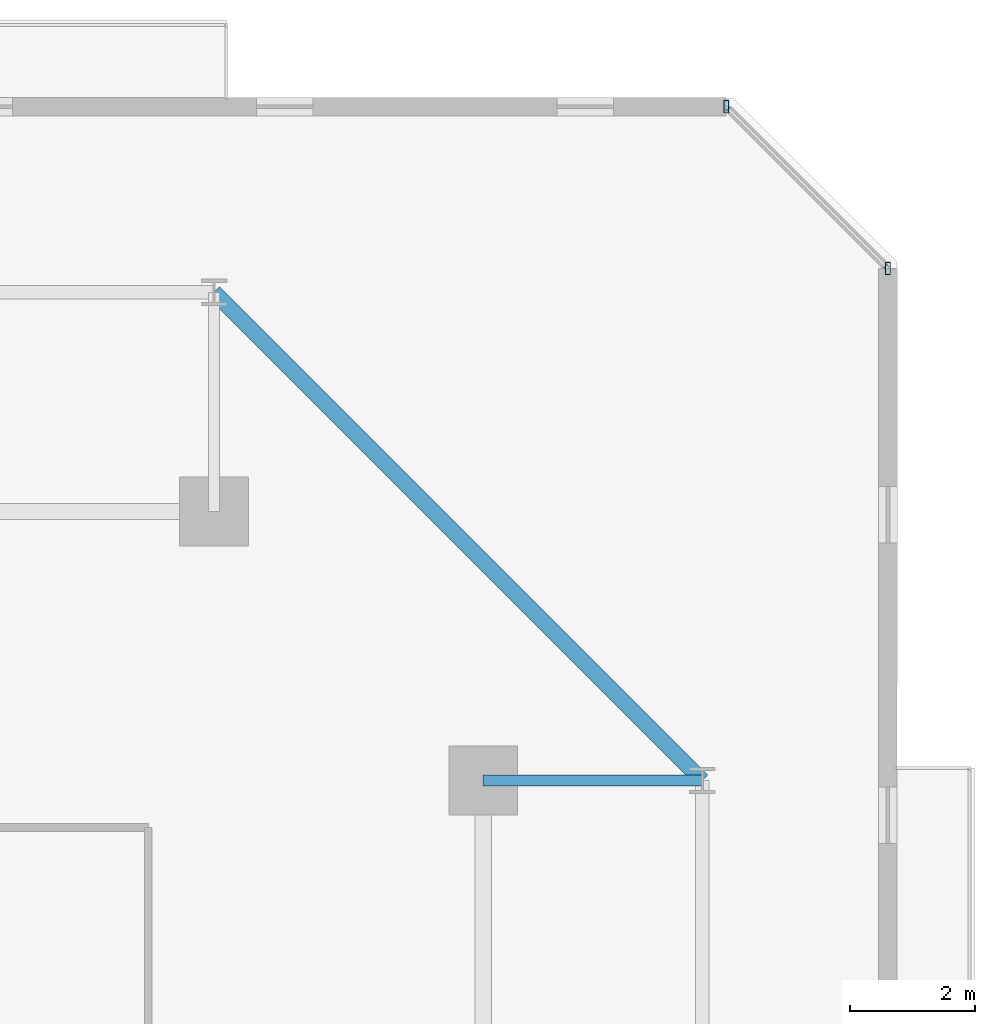
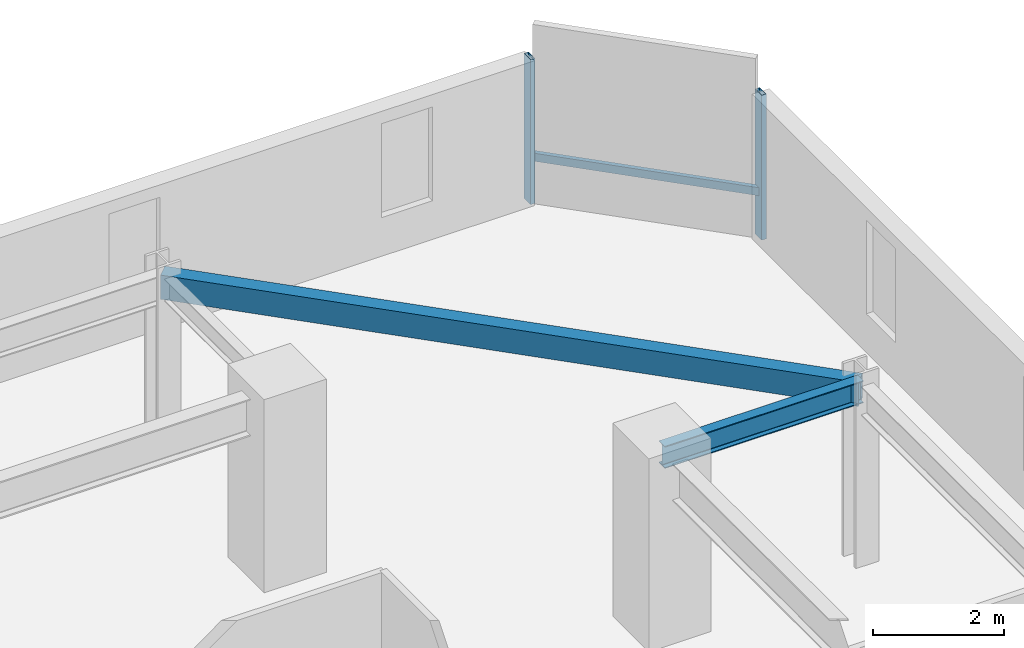
# One storey, part 17 of 32: 3 members, 2 beams, 1 element without a shape of its own.
"""IFC4 building model written with IfcOpenShell, lengths in metres."""

from ifc_helpers import new_model, si_unit, direction, frame, origin, origin_2d, place, context, subcontext, project, spatial, hollow_rectangle, i_section, extrude, material, material_profile, profile_set, type_object, element, aggregate, save


model = new_model("IFC4")

# Units and contexts
model_context = context("Model", 3, precision=1e-05, world=origin(), true_north=direction((0.0, 1.0)))
body_context = subcontext(model_context, "Body", "Model", "MODEL_VIEW")
ifc_project = project(units=[si_unit("LENGTHUNIT", "METRE"), si_unit("AREAUNIT", "SQUARE_METRE"), si_unit("VOLUMEUNIT", "CUBIC_METRE"), si_unit("PLANEANGLEUNIT", "RADIAN"), si_unit("MASSUNIT", "GRAM", prefix="KILO")], contexts=[model_context])

# Site, building, storey
site_placement = place(None, origin())
site = spatial("IfcSite", under=ifc_project, at=site_placement, CompositionType="ELEMENT")
building_placement = place(site_placement, origin())
building = spatial("IfcBuilding", under=site, at=building_placement, Name="Thornwick Lancets Civic Towers", CompositionType="ELEMENT")
storey_placement = place(building_placement, frame((0.0, 0.0, 152.699951171875)))
storey = spatial("IfcBuildingStorey", under=building, at=storey_placement, Name="L40", CompositionType="ELEMENT", Elevation=152.699951171875)

# Beams
ifc_material_1 = material(Name="Steel S355JR", Category="steel")
ifc_material_profile_1 = material_profile(ifc_material_1, i_section(OverallWidth=0.179443359375, OverallDepth=0.412841796875, WebThickness=0.009521484375, FlangeThickness=0.01611328125, FilletRadius=0.01025390625, at=origin_2d()), Name="UKB 406x178x74")
ifc_profile_set_1 = profile_set([ifc_material_profile_1], Name="Steel S355JR")
beam_type_1 = type_object("IfcBeamType", Name="BM_JOIST_406_74", PredefinedType="JOIST", material=ifc_profile_set_1)
beam_1_placement = place(storey_placement, frame((105.800048828125, 40.0, 3.153564453125), z_axis=(1.0, 0.0, 0.0), x_axis=(0.0, 1.0, 0.0)))
element("IfcBeam", 1, at=beam_1_placement, inside=storey, type_object=beam_type_1, Name="BM-RAD-L40-B03", PredefinedType="JOIST", context=body_context, shape_type="SweptSolid", body=[
    extrude(i_section(OverallWidth=0.179443359375, OverallDepth=0.412841796875, WebThickness=0.009521484375, FlangeThickness=0.01611328125, FilletRadius=0.01025390625, at=origin_2d()), origin(), (0.0, 0.0, 1.0), 3.5),
])
ifc_material_profile_2 = material_profile(ifc_material_1, hollow_rectangle(XDim=0.25, YDim=0.449951171875, WallThickness=0.01611328125, at=origin_2d()), Name="RHS 450x250x16")
ifc_profile_set_2 = profile_set([ifc_material_profile_2], Name="Steel S355JR")
beam_type_2 = type_object("IfcBeamType", Name="BM_RING_RHS450", PredefinedType="BEAM", material=ifc_profile_set_2)
beam_2_placement = place(storey_placement, frame((109.300048828125, 40.0, 3.135009765625), z_axis=(-0.707106781187, 0.707106781187, 0.0), x_axis=(-0.707106781187, -0.707106781187, 0.0)))
element("IfcBeam", 2, at=beam_2_placement, inside=storey, type_object=beam_type_2, Name="BM-CHAMF-L40-B-C0", PredefinedType="BEAM", context=body_context, shape_type="SweptSolid", body=[
    extrude(hollow_rectangle(XDim=0.25, YDim=0.449951171875, WallThickness=0.01611328125, at=origin_2d()), origin(), (0.0, 0.0, 1.0), 11.031005859375),
])

# Curtain wall, members
ifc_material_2 = material(Name="Mid-zone chamfered-corner unitised glass curtain wall", Category="glass")
curtain_wall_type = type_object("IfcCurtainWallType", Name="CW_SYS_04", PredefinedType="NOTDEFINED", material=ifc_material_2)
curtain_wall_placement = place(storey_placement, origin())
curtain_wall = element("IfcCurtainWall", 3, at=curtain_wall_placement, inside=storey, type_object=curtain_wall_type, Name="L40 Curtain Wall CW-L40-B-E3", PredefinedType="NOTDEFINED")
ifc_material_3 = material(Name="Thermally broken bronze aluminium S355", Category="steel")
ifc_material_profile_3 = material_profile(ifc_material_3, hollow_rectangle(XDim=0.080078125, YDim=0.199951171875, WallThickness=0.006103515625, at=origin_2d()), Name="RHS 200x80x6")
ifc_profile_set_3 = profile_set([ifc_material_profile_3], Name="Thermally broken bronze aluminium S355")
member_type_1 = type_object("IfcMemberType", Name="CW_MUL_200", PredefinedType="MULLION", material=ifc_profile_set_3)
member_1_placement = place(storey_placement, frame((112.2646484375, 48.181396484375, 0.0), z_axis=(0.0, 0.0, 1.0), x_axis=(1.0, 0.0, 0.0)))
member_1 = element("IfcMember", 4, at=member_1_placement, type_object=member_type_1, Name="CW-L40-B-E3 Mullion 0", PredefinedType="MULLION", context=body_context, shape_type="SweptSolid", body=[
    extrude(hollow_rectangle(XDim=0.080078125, YDim=0.199951171875, WallThickness=0.006103515625, at=origin_2d()), origin(), (0.0, 0.0, 1.0), 2.699951171875),
])
member_2_placement = place(storey_placement, frame((109.681396484375, 50.7646484375, 0.0), z_axis=(0.0, 0.0, 1.0), x_axis=(1.0, 0.0, 0.0)))
member_2 = element("IfcMember", 5, at=member_2_placement, type_object=member_type_1, Name="CW-L40-B-E3 Mullion 1", PredefinedType="MULLION", context=body_context, shape_type="SweptSolid", body=[
    extrude(hollow_rectangle(XDim=0.080078125, YDim=0.199951171875, WallThickness=0.006103515625, at=origin_2d()), origin(), (0.0, 0.0, 1.0), 2.699951171875),
])
ifc_material_profile_4 = material_profile(ifc_material_3, hollow_rectangle(XDim=0.074951171875, YDim=0.14990234375, WallThickness=0.0048828125, at=origin_2d()), Name="RHS 150x75x5")
ifc_profile_set_4 = profile_set([ifc_material_profile_4], Name="Thermally broken bronze aluminium S355")
member_type_2 = type_object("IfcMemberType", Name="CW_TRN_150", PredefinedType="USERDEFINED", material=ifc_profile_set_4)
member_3_placement = place(storey_placement, frame((112.25048828125, 48.195556640625, 0.85009765625), z_axis=(-0.707106781187, 0.707106781187, 0.0), x_axis=(-0.707106781187, -0.707106781187, 0.0)))
member_3 = element("IfcMember", 6, at=member_3_placement, type_object=member_type_2, Name="CW-L40-B-E3 Transom 0", ObjectType="TRANSOM", PredefinedType="USERDEFINED", context=body_context, shape_type="SweptSolid", body=[
    extrude(hollow_rectangle(XDim=0.074951171875, YDim=0.14990234375, WallThickness=0.0048828125, at=origin_2d()), origin(), (0.0, 0.0, 1.0), 3.61328125),
])
aggregate(curtain_wall, [member_1, member_2, member_3])

save(model, "model.ifc")
